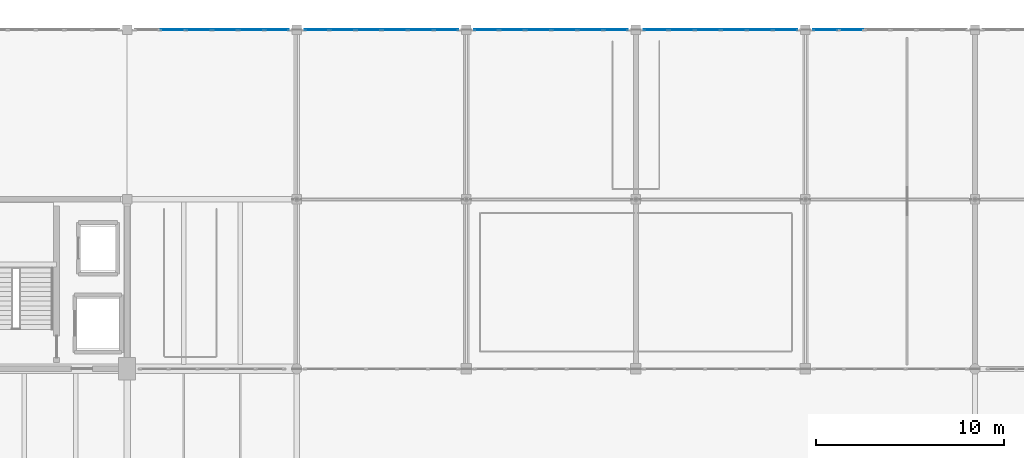
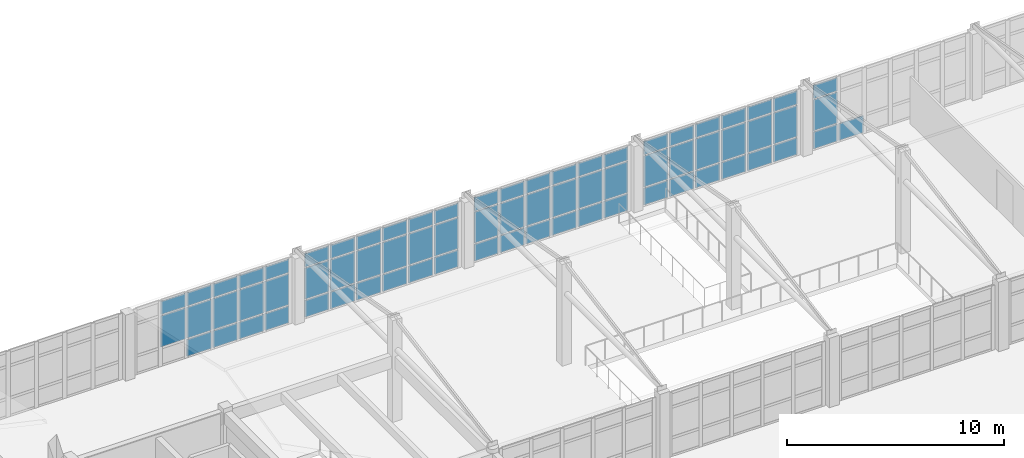
# One storey, part 117 of 156: 72 plates, 5 elements without a shape of their own.
"""IFC4 building model written with IfcOpenShell, lengths in metres."""

from ifc_helpers import new_model, si_unit, direction, frame, origin, origin_2d, place, context, subcontext, project, spatial, rectangle, extrude, material, layer, layer_set, type_object, element, aggregate, save


model = new_model("IFC4")

# Units and contexts
model_context = context("Model", 3, precision=1e-05, world=origin(), true_north=direction((0.0, 1.0)))
body_context = subcontext(model_context, "Body", "Model", "MODEL_VIEW")
ifc_project = project(units=[si_unit("LENGTHUNIT", "METRE"), si_unit("AREAUNIT", "SQUARE_METRE"), si_unit("VOLUMEUNIT", "CUBIC_METRE"), si_unit("PLANEANGLEUNIT", "RADIAN"), si_unit("MASSUNIT", "GRAM", prefix="KILO")], contexts=[model_context])

# Site, building, storey
site_placement = place(None, origin())
site = spatial("IfcSite", under=ifc_project, at=site_placement, CompositionType="ELEMENT")
building_placement = place(site_placement, origin())
building = spatial("IfcBuilding", under=site, at=building_placement, Name="Ornek Quay Market", CompositionType="ELEMENT")
storey_placement = place(building_placement, frame((0.0, 0.0, 4.5)))
storey = spatial("IfcBuildingStorey", under=building, at=storey_placement, Name="L01", CompositionType="ELEMENT", Elevation=4.5)

# Curtain wall, plates
ifc_material_1 = material(Name="Anodised bronze aluminium and triple low-e glass", Category="aluminium")
ifc_layer_1 = layer(ifc_material_1, 0.219970703125, Name="Anodised bronze aluminium and triple low-e glass", Category="aluminium")
ifc_layer_set_1 = layer_set([ifc_layer_1], Name="Anodised bronze aluminium and triple low-e glass")
curtain_wall_type = type_object("IfcCurtainWallType", Name="CW-PORCH-MOD1500", PredefinedType="USERDEFINED", material=ifc_layer_set_1)
curtain_wall_1_placement = place(storey_placement, origin())
curtain_wall_1 = element("IfcCurtainWall", 1, at=curtain_wall_1_placement, inside=storey, type_object=curtain_wall_type, Name="Curtain wall CW-050", ObjectType="CURTAIN WALL", PredefinedType="USERDEFINED")
ifc_material_2 = material(Name="Triple insulated low-e glass", Category="glass")
ifc_layer_2 = layer(ifc_material_2, 0.0419921875, Name="Triple insulated low-e glass", Category="glass")
ifc_layer_set_2 = layer_set([ifc_layer_2], Name="Triple insulated low-e glass")
plate_type = type_object("IfcPlateType", Name="PL-CW-TRIPLE-42", PredefinedType="CURTAIN_PANEL", material=ifc_layer_set_2)
plate_1_placement = place(storey_placement, frame((65.425048828125, 110.0, 1.0849609375), z_axis=(0.0, 0.0, 1.0), x_axis=(1.0, 0.0, 0.0)))
plate_1 = element("IfcPlate", 2, at=plate_1_placement, type_object=plate_type, Name="CW-050 panel 2.2", PredefinedType="CURTAIN_PANEL", context=body_context, shape_type="SweptSolid", body=[
    extrude(rectangle(XDim=1.308349609375, YDim=0.0419921875, at=origin_2d()), origin(), (0.0, 0.0, 1.0), 1.739990234375),
])
plate_2_placement = place(storey_placement, frame((65.425048828125, 110.0, 2.89501953125), z_axis=(0.0, 0.0, 1.0), x_axis=(1.0, 0.0, 0.0)))
plate_2 = element("IfcPlate", 3, at=plate_2_placement, type_object=plate_type, Name="CW-050 panel 2.3", PredefinedType="CURTAIN_PANEL", context=body_context, shape_type="SweptSolid", body=[
    extrude(rectangle(XDim=1.308349609375, YDim=0.0419921875, at=origin_2d()), origin(), (0.0, 0.0, 1.0), 0.7451171875),
])
plate_3_placement = place(storey_placement, frame((66.808349609375, 110.0, 0.06982421875), z_axis=(0.0, 0.0, 1.0), x_axis=(1.0, 0.0, 0.0)))
plate_3 = element("IfcPlate", 4, at=plate_3_placement, type_object=plate_type, Name="CW-050 panel 3.1", PredefinedType="CURTAIN_PANEL", context=body_context, shape_type="SweptSolid", body=[
    extrude(rectangle(XDim=1.308349609375, YDim=0.0419921875, at=origin_2d()), origin(), (0.0, 0.0, 1.0), 0.945068359375),
])
plate_4_placement = place(storey_placement, frame((66.808349609375, 110.0, 1.0849609375), z_axis=(0.0, 0.0, 1.0), x_axis=(1.0, 0.0, 0.0)))
plate_4 = element("IfcPlate", 5, at=plate_4_placement, type_object=plate_type, Name="CW-050 panel 3.2", PredefinedType="CURTAIN_PANEL", context=body_context, shape_type="SweptSolid", body=[
    extrude(rectangle(XDim=1.308349609375, YDim=0.0419921875, at=origin_2d()), origin(), (0.0, 0.0, 1.0), 1.739990234375),
])
plate_5_placement = place(storey_placement, frame((66.808349609375, 110.0, 2.89501953125), z_axis=(0.0, 0.0, 1.0), x_axis=(1.0, 0.0, 0.0)))
plate_5 = element("IfcPlate", 6, at=plate_5_placement, type_object=plate_type, Name="CW-050 panel 3.3", PredefinedType="CURTAIN_PANEL", context=body_context, shape_type="SweptSolid", body=[
    extrude(rectangle(XDim=1.308349609375, YDim=0.0419921875, at=origin_2d()), origin(), (0.0, 0.0, 1.0), 0.7451171875),
])
plate_6_placement = place(storey_placement, frame((68.191650390625, 110.0, 0.06982421875), z_axis=(0.0, 0.0, 1.0), x_axis=(1.0, 0.0, 0.0)))
plate_6 = element("IfcPlate", 7, at=plate_6_placement, type_object=plate_type, Name="CW-050 panel 4.1", PredefinedType="CURTAIN_PANEL", context=body_context, shape_type="SweptSolid", body=[
    extrude(rectangle(XDim=1.308349609375, YDim=0.0419921875, at=origin_2d()), origin(), (0.0, 0.0, 1.0), 0.945068359375),
])
plate_7_placement = place(storey_placement, frame((68.191650390625, 110.0, 1.0849609375), z_axis=(0.0, 0.0, 1.0), x_axis=(1.0, 0.0, 0.0)))
plate_7 = element("IfcPlate", 8, at=plate_7_placement, type_object=plate_type, Name="CW-050 panel 4.2", PredefinedType="CURTAIN_PANEL", context=body_context, shape_type="SweptSolid", body=[
    extrude(rectangle(XDim=1.308349609375, YDim=0.0419921875, at=origin_2d()), origin(), (0.0, 0.0, 1.0), 1.739990234375),
])
plate_8_placement = place(storey_placement, frame((68.191650390625, 110.0, 2.89501953125), z_axis=(0.0, 0.0, 1.0), x_axis=(1.0, 0.0, 0.0)))
plate_8 = element("IfcPlate", 9, at=plate_8_placement, type_object=plate_type, Name="CW-050 panel 4.3", PredefinedType="CURTAIN_PANEL", context=body_context, shape_type="SweptSolid", body=[
    extrude(rectangle(XDim=1.308349609375, YDim=0.0419921875, at=origin_2d()), origin(), (0.0, 0.0, 1.0), 0.7451171875),
])
plate_9_placement = place(storey_placement, frame((69.574951171875, 110.0, 0.06982421875), z_axis=(0.0, 0.0, 1.0), x_axis=(1.0, 0.0, 0.0)))
plate_9 = element("IfcPlate", 10, at=plate_9_placement, type_object=plate_type, Name="CW-050 panel 5.1", PredefinedType="CURTAIN_PANEL", context=body_context, shape_type="SweptSolid", body=[
    extrude(rectangle(XDim=1.308349609375, YDim=0.0419921875, at=origin_2d()), origin(), (0.0, 0.0, 1.0), 0.945068359375),
])
plate_10_placement = place(storey_placement, frame((69.574951171875, 110.0, 1.0849609375), z_axis=(0.0, 0.0, 1.0), x_axis=(1.0, 0.0, 0.0)))
plate_10 = element("IfcPlate", 11, at=plate_10_placement, type_object=plate_type, Name="CW-050 panel 5.2", PredefinedType="CURTAIN_PANEL", context=body_context, shape_type="SweptSolid", body=[
    extrude(rectangle(XDim=1.308349609375, YDim=0.0419921875, at=origin_2d()), origin(), (0.0, 0.0, 1.0), 1.739990234375),
])
plate_11_placement = place(storey_placement, frame((69.574951171875, 110.0, 2.89501953125), z_axis=(0.0, 0.0, 1.0), x_axis=(1.0, 0.0, 0.0)))
plate_11 = element("IfcPlate", 12, at=plate_11_placement, type_object=plate_type, Name="CW-050 panel 5.3", PredefinedType="CURTAIN_PANEL", context=body_context, shape_type="SweptSolid", body=[
    extrude(rectangle(XDim=1.308349609375, YDim=0.0419921875, at=origin_2d()), origin(), (0.0, 0.0, 1.0), 0.7451171875),
])
plate_12_placement = place(storey_placement, frame((70.939697265625, 110.0, 0.06982421875), z_axis=(0.0, 0.0, 1.0), x_axis=(1.0, 0.0, 0.0)))
plate_12 = element("IfcPlate", 13, at=plate_12_placement, type_object=plate_type, Name="CW-050 panel 6.1", PredefinedType="CURTAIN_PANEL", context=body_context, shape_type="SweptSolid", body=[
    extrude(rectangle(XDim=1.270751953125, YDim=0.0419921875, at=origin_2d()), origin(), (0.0, 0.0, 1.0), 0.945068359375),
])
plate_13_placement = place(storey_placement, frame((70.939697265625, 110.0, 1.0849609375), z_axis=(0.0, 0.0, 1.0), x_axis=(1.0, 0.0, 0.0)))
plate_13 = element("IfcPlate", 14, at=plate_13_placement, type_object=plate_type, Name="CW-050 panel 6.2", PredefinedType="CURTAIN_PANEL", context=body_context, shape_type="SweptSolid", body=[
    extrude(rectangle(XDim=1.270751953125, YDim=0.0419921875, at=origin_2d()), origin(), (0.0, 0.0, 1.0), 1.739990234375),
])
plate_14_placement = place(storey_placement, frame((70.939697265625, 110.0, 2.89501953125), z_axis=(0.0, 0.0, 1.0), x_axis=(1.0, 0.0, 0.0)))
plate_14 = element("IfcPlate", 15, at=plate_14_placement, type_object=plate_type, Name="CW-050 panel 6.3", PredefinedType="CURTAIN_PANEL", context=body_context, shape_type="SweptSolid", body=[
    extrude(rectangle(XDim=1.270751953125, YDim=0.0419921875, at=origin_2d()), origin(), (0.0, 0.0, 1.0), 0.7451171875),
])
aggregate(curtain_wall_1, [plate_1, plate_2, plate_3, plate_4, plate_5, plate_6, plate_7, plate_8, plate_9, plate_10, plate_11, plate_12, plate_13, plate_14])

curtain_wall_2_placement = place(storey_placement, origin())
curtain_wall_2 = element("IfcCurtainWall", 16, at=curtain_wall_2_placement, inside=storey, type_object=curtain_wall_type, Name="Curtain wall CW-051", ObjectType="CURTAIN WALL", PredefinedType="USERDEFINED")
plate_15_placement = place(storey_placement, frame((73.060302734375, 110.0, 0.06982421875), z_axis=(0.0, 0.0, 1.0), x_axis=(1.0, 0.0, 0.0)))
plate_15 = element("IfcPlate", 17, at=plate_15_placement, type_object=plate_type, Name="CW-051 panel 1.1", PredefinedType="CURTAIN_PANEL", context=body_context, shape_type="SweptSolid", body=[
    extrude(rectangle(XDim=1.270751953125, YDim=0.0419921875, at=origin_2d()), origin(), (0.0, 0.0, 1.0), 0.945068359375),
])
plate_16_placement = place(storey_placement, frame((73.060302734375, 110.0, 1.0849609375), z_axis=(0.0, 0.0, 1.0), x_axis=(1.0, 0.0, 0.0)))
plate_16 = element("IfcPlate", 18, at=plate_16_placement, type_object=plate_type, Name="CW-051 panel 1.2", PredefinedType="CURTAIN_PANEL", context=body_context, shape_type="SweptSolid", body=[
    extrude(rectangle(XDim=1.270751953125, YDim=0.0419921875, at=origin_2d()), origin(), (0.0, 0.0, 1.0), 1.739990234375),
])
plate_17_placement = place(storey_placement, frame((73.060302734375, 110.0, 2.89501953125), z_axis=(0.0, 0.0, 1.0), x_axis=(1.0, 0.0, 0.0)))
plate_17 = element("IfcPlate", 19, at=plate_17_placement, type_object=plate_type, Name="CW-051 panel 1.3", PredefinedType="CURTAIN_PANEL", context=body_context, shape_type="SweptSolid", body=[
    extrude(rectangle(XDim=1.270751953125, YDim=0.0419921875, at=origin_2d()), origin(), (0.0, 0.0, 1.0), 0.7451171875),
])
plate_18_placement = place(storey_placement, frame((74.425048828125, 110.0, 0.06982421875), z_axis=(0.0, 0.0, 1.0), x_axis=(1.0, 0.0, 0.0)))
plate_18 = element("IfcPlate", 20, at=plate_18_placement, type_object=plate_type, Name="CW-051 panel 2.1", PredefinedType="CURTAIN_PANEL", context=body_context, shape_type="SweptSolid", body=[
    extrude(rectangle(XDim=1.308349609375, YDim=0.0419921875, at=origin_2d()), origin(), (0.0, 0.0, 1.0), 0.945068359375),
])
plate_19_placement = place(storey_placement, frame((74.425048828125, 110.0, 1.0849609375), z_axis=(0.0, 0.0, 1.0), x_axis=(1.0, 0.0, 0.0)))
plate_19 = element("IfcPlate", 21, at=plate_19_placement, type_object=plate_type, Name="CW-051 panel 2.2", PredefinedType="CURTAIN_PANEL", context=body_context, shape_type="SweptSolid", body=[
    extrude(rectangle(XDim=1.308349609375, YDim=0.0419921875, at=origin_2d()), origin(), (0.0, 0.0, 1.0), 1.739990234375),
])
plate_20_placement = place(storey_placement, frame((74.425048828125, 110.0, 2.89501953125), z_axis=(0.0, 0.0, 1.0), x_axis=(1.0, 0.0, 0.0)))
plate_20 = element("IfcPlate", 22, at=plate_20_placement, type_object=plate_type, Name="CW-051 panel 2.3", PredefinedType="CURTAIN_PANEL", context=body_context, shape_type="SweptSolid", body=[
    extrude(rectangle(XDim=1.308349609375, YDim=0.0419921875, at=origin_2d()), origin(), (0.0, 0.0, 1.0), 0.7451171875),
])
plate_21_placement = place(storey_placement, frame((75.808349609375, 110.0, 0.06982421875), z_axis=(0.0, 0.0, 1.0), x_axis=(1.0, 0.0, 0.0)))
plate_21 = element("IfcPlate", 23, at=plate_21_placement, type_object=plate_type, Name="CW-051 panel 3.1", PredefinedType="CURTAIN_PANEL", context=body_context, shape_type="SweptSolid", body=[
    extrude(rectangle(XDim=1.308349609375, YDim=0.0419921875, at=origin_2d()), origin(), (0.0, 0.0, 1.0), 0.945068359375),
])
plate_22_placement = place(storey_placement, frame((75.808349609375, 110.0, 1.0849609375), z_axis=(0.0, 0.0, 1.0), x_axis=(1.0, 0.0, 0.0)))
plate_22 = element("IfcPlate", 24, at=plate_22_placement, type_object=plate_type, Name="CW-051 panel 3.2", PredefinedType="CURTAIN_PANEL", context=body_context, shape_type="SweptSolid", body=[
    extrude(rectangle(XDim=1.308349609375, YDim=0.0419921875, at=origin_2d()), origin(), (0.0, 0.0, 1.0), 1.739990234375),
])
plate_23_placement = place(storey_placement, frame((75.808349609375, 110.0, 2.89501953125), z_axis=(0.0, 0.0, 1.0), x_axis=(1.0, 0.0, 0.0)))
plate_23 = element("IfcPlate", 25, at=plate_23_placement, type_object=plate_type, Name="CW-051 panel 3.3", PredefinedType="CURTAIN_PANEL", context=body_context, shape_type="SweptSolid", body=[
    extrude(rectangle(XDim=1.308349609375, YDim=0.0419921875, at=origin_2d()), origin(), (0.0, 0.0, 1.0), 0.7451171875),
])
plate_24_placement = place(storey_placement, frame((77.191650390625, 110.0, 0.06982421875), z_axis=(0.0, 0.0, 1.0), x_axis=(1.0, 0.0, 0.0)))
plate_24 = element("IfcPlate", 26, at=plate_24_placement, type_object=plate_type, Name="CW-051 panel 4.1", PredefinedType="CURTAIN_PANEL", context=body_context, shape_type="SweptSolid", body=[
    extrude(rectangle(XDim=1.308349609375, YDim=0.0419921875, at=origin_2d()), origin(), (0.0, 0.0, 1.0), 0.945068359375),
])
plate_25_placement = place(storey_placement, frame((77.191650390625, 110.0, 1.0849609375), z_axis=(0.0, 0.0, 1.0), x_axis=(1.0, 0.0, 0.0)))
plate_25 = element("IfcPlate", 27, at=plate_25_placement, type_object=plate_type, Name="CW-051 panel 4.2", PredefinedType="CURTAIN_PANEL", context=body_context, shape_type="SweptSolid", body=[
    extrude(rectangle(XDim=1.308349609375, YDim=0.0419921875, at=origin_2d()), origin(), (0.0, 0.0, 1.0), 1.739990234375),
])
plate_26_placement = place(storey_placement, frame((77.191650390625, 110.0, 2.89501953125), z_axis=(0.0, 0.0, 1.0), x_axis=(1.0, 0.0, 0.0)))
plate_26 = element("IfcPlate", 28, at=plate_26_placement, type_object=plate_type, Name="CW-051 panel 4.3", PredefinedType="CURTAIN_PANEL", context=body_context, shape_type="SweptSolid", body=[
    extrude(rectangle(XDim=1.308349609375, YDim=0.0419921875, at=origin_2d()), origin(), (0.0, 0.0, 1.0), 0.7451171875),
])
plate_27_placement = place(storey_placement, frame((78.574951171875, 110.0, 0.06982421875), z_axis=(0.0, 0.0, 1.0), x_axis=(1.0, 0.0, 0.0)))
plate_27 = element("IfcPlate", 29, at=plate_27_placement, type_object=plate_type, Name="CW-051 panel 5.1", PredefinedType="CURTAIN_PANEL", context=body_context, shape_type="SweptSolid", body=[
    extrude(rectangle(XDim=1.308349609375, YDim=0.0419921875, at=origin_2d()), origin(), (0.0, 0.0, 1.0), 0.945068359375),
])
plate_28_placement = place(storey_placement, frame((78.574951171875, 110.0, 1.0849609375), z_axis=(0.0, 0.0, 1.0), x_axis=(1.0, 0.0, 0.0)))
plate_28 = element("IfcPlate", 30, at=plate_28_placement, type_object=plate_type, Name="CW-051 panel 5.2", PredefinedType="CURTAIN_PANEL", context=body_context, shape_type="SweptSolid", body=[
    extrude(rectangle(XDim=1.308349609375, YDim=0.0419921875, at=origin_2d()), origin(), (0.0, 0.0, 1.0), 1.739990234375),
])
plate_29_placement = place(storey_placement, frame((78.574951171875, 110.0, 2.89501953125), z_axis=(0.0, 0.0, 1.0), x_axis=(1.0, 0.0, 0.0)))
plate_29 = element("IfcPlate", 31, at=plate_29_placement, type_object=plate_type, Name="CW-051 panel 5.3", PredefinedType="CURTAIN_PANEL", context=body_context, shape_type="SweptSolid", body=[
    extrude(rectangle(XDim=1.308349609375, YDim=0.0419921875, at=origin_2d()), origin(), (0.0, 0.0, 1.0), 0.7451171875),
])
plate_30_placement = place(storey_placement, frame((79.939697265625, 110.0, 0.06982421875), z_axis=(0.0, 0.0, 1.0), x_axis=(1.0, 0.0, 0.0)))
plate_30 = element("IfcPlate", 32, at=plate_30_placement, type_object=plate_type, Name="CW-051 panel 6.1", PredefinedType="CURTAIN_PANEL", context=body_context, shape_type="SweptSolid", body=[
    extrude(rectangle(XDim=1.270751953125, YDim=0.0419921875, at=origin_2d()), origin(), (0.0, 0.0, 1.0), 0.945068359375),
])
plate_31_placement = place(storey_placement, frame((79.939697265625, 110.0, 1.0849609375), z_axis=(0.0, 0.0, 1.0), x_axis=(1.0, 0.0, 0.0)))
plate_31 = element("IfcPlate", 33, at=plate_31_placement, type_object=plate_type, Name="CW-051 panel 6.2", PredefinedType="CURTAIN_PANEL", context=body_context, shape_type="SweptSolid", body=[
    extrude(rectangle(XDim=1.270751953125, YDim=0.0419921875, at=origin_2d()), origin(), (0.0, 0.0, 1.0), 1.739990234375),
])
plate_32_placement = place(storey_placement, frame((79.939697265625, 110.0, 2.89501953125), z_axis=(0.0, 0.0, 1.0), x_axis=(1.0, 0.0, 0.0)))
plate_32 = element("IfcPlate", 34, at=plate_32_placement, type_object=plate_type, Name="CW-051 panel 6.3", PredefinedType="CURTAIN_PANEL", context=body_context, shape_type="SweptSolid", body=[
    extrude(rectangle(XDim=1.270751953125, YDim=0.0419921875, at=origin_2d()), origin(), (0.0, 0.0, 1.0), 0.7451171875),
])
aggregate(curtain_wall_2, [plate_15, plate_16, plate_17, plate_18, plate_19, plate_20, plate_21, plate_22, plate_23, plate_24, plate_25, plate_26, plate_27, plate_28, plate_29, plate_30, plate_31, plate_32])

curtain_wall_3_placement = place(storey_placement, origin())
curtain_wall_3 = element("IfcCurtainWall", 35, at=curtain_wall_3_placement, inside=storey, type_object=curtain_wall_type, Name="Curtain wall CW-052", ObjectType="CURTAIN WALL", PredefinedType="USERDEFINED")
plate_33_placement = place(storey_placement, frame((82.060302734375, 110.0, 0.06982421875), z_axis=(0.0, 0.0, 1.0), x_axis=(1.0, 0.0, 0.0)))
plate_33 = element("IfcPlate", 36, at=plate_33_placement, type_object=plate_type, Name="CW-052 panel 1.1", PredefinedType="CURTAIN_PANEL", context=body_context, shape_type="SweptSolid", body=[
    extrude(rectangle(XDim=1.270751953125, YDim=0.0419921875, at=origin_2d()), origin(), (0.0, 0.0, 1.0), 0.945068359375),
])
plate_34_placement = place(storey_placement, frame((82.060302734375, 110.0, 1.0849609375), z_axis=(0.0, 0.0, 1.0), x_axis=(1.0, 0.0, 0.0)))
plate_34 = element("IfcPlate", 37, at=plate_34_placement, type_object=plate_type, Name="CW-052 panel 1.2", PredefinedType="CURTAIN_PANEL", context=body_context, shape_type="SweptSolid", body=[
    extrude(rectangle(XDim=1.270751953125, YDim=0.0419921875, at=origin_2d()), origin(), (0.0, 0.0, 1.0), 1.739990234375),
])
plate_35_placement = place(storey_placement, frame((82.060302734375, 110.0, 2.89501953125), z_axis=(0.0, 0.0, 1.0), x_axis=(1.0, 0.0, 0.0)))
plate_35 = element("IfcPlate", 38, at=plate_35_placement, type_object=plate_type, Name="CW-052 panel 1.3", PredefinedType="CURTAIN_PANEL", context=body_context, shape_type="SweptSolid", body=[
    extrude(rectangle(XDim=1.270751953125, YDim=0.0419921875, at=origin_2d()), origin(), (0.0, 0.0, 1.0), 0.7451171875),
])
plate_36_placement = place(storey_placement, frame((83.425048828125, 110.0, 0.06982421875), z_axis=(0.0, 0.0, 1.0), x_axis=(1.0, 0.0, 0.0)))
plate_36 = element("IfcPlate", 39, at=plate_36_placement, type_object=plate_type, Name="CW-052 panel 2.1", PredefinedType="CURTAIN_PANEL", context=body_context, shape_type="SweptSolid", body=[
    extrude(rectangle(XDim=1.308349609375, YDim=0.0419921875, at=origin_2d()), origin(), (0.0, 0.0, 1.0), 0.945068359375),
])
plate_37_placement = place(storey_placement, frame((83.425048828125, 110.0, 1.0849609375), z_axis=(0.0, 0.0, 1.0), x_axis=(1.0, 0.0, 0.0)))
plate_37 = element("IfcPlate", 40, at=plate_37_placement, type_object=plate_type, Name="CW-052 panel 2.2", PredefinedType="CURTAIN_PANEL", context=body_context, shape_type="SweptSolid", body=[
    extrude(rectangle(XDim=1.308349609375, YDim=0.0419921875, at=origin_2d()), origin(), (0.0, 0.0, 1.0), 1.739990234375),
])
plate_38_placement = place(storey_placement, frame((83.425048828125, 110.0, 2.89501953125), z_axis=(0.0, 0.0, 1.0), x_axis=(1.0, 0.0, 0.0)))
plate_38 = element("IfcPlate", 41, at=plate_38_placement, type_object=plate_type, Name="CW-052 panel 2.3", PredefinedType="CURTAIN_PANEL", context=body_context, shape_type="SweptSolid", body=[
    extrude(rectangle(XDim=1.308349609375, YDim=0.0419921875, at=origin_2d()), origin(), (0.0, 0.0, 1.0), 0.7451171875),
])
plate_39_placement = place(storey_placement, frame((84.808349609375, 110.0, 0.06982421875), z_axis=(0.0, 0.0, 1.0), x_axis=(1.0, 0.0, 0.0)))
plate_39 = element("IfcPlate", 42, at=plate_39_placement, type_object=plate_type, Name="CW-052 panel 3.1", PredefinedType="CURTAIN_PANEL", context=body_context, shape_type="SweptSolid", body=[
    extrude(rectangle(XDim=1.308349609375, YDim=0.0419921875, at=origin_2d()), origin(), (0.0, 0.0, 1.0), 0.945068359375),
])
plate_40_placement = place(storey_placement, frame((84.808349609375, 110.0, 1.0849609375), z_axis=(0.0, 0.0, 1.0), x_axis=(1.0, 0.0, 0.0)))
plate_40 = element("IfcPlate", 43, at=plate_40_placement, type_object=plate_type, Name="CW-052 panel 3.2", PredefinedType="CURTAIN_PANEL", context=body_context, shape_type="SweptSolid", body=[
    extrude(rectangle(XDim=1.308349609375, YDim=0.0419921875, at=origin_2d()), origin(), (0.0, 0.0, 1.0), 1.739990234375),
])
plate_41_placement = place(storey_placement, frame((84.808349609375, 110.0, 2.89501953125), z_axis=(0.0, 0.0, 1.0), x_axis=(1.0, 0.0, 0.0)))
plate_41 = element("IfcPlate", 44, at=plate_41_placement, type_object=plate_type, Name="CW-052 panel 3.3", PredefinedType="CURTAIN_PANEL", context=body_context, shape_type="SweptSolid", body=[
    extrude(rectangle(XDim=1.308349609375, YDim=0.0419921875, at=origin_2d()), origin(), (0.0, 0.0, 1.0), 0.7451171875),
])
plate_42_placement = place(storey_placement, frame((86.191650390625, 110.0, 0.06982421875), z_axis=(0.0, 0.0, 1.0), x_axis=(1.0, 0.0, 0.0)))
plate_42 = element("IfcPlate", 45, at=plate_42_placement, type_object=plate_type, Name="CW-052 panel 4.1", PredefinedType="CURTAIN_PANEL", context=body_context, shape_type="SweptSolid", body=[
    extrude(rectangle(XDim=1.308349609375, YDim=0.0419921875, at=origin_2d()), origin(), (0.0, 0.0, 1.0), 0.945068359375),
])
plate_43_placement = place(storey_placement, frame((86.191650390625, 110.0, 1.0849609375), z_axis=(0.0, 0.0, 1.0), x_axis=(1.0, 0.0, 0.0)))
plate_43 = element("IfcPlate", 46, at=plate_43_placement, type_object=plate_type, Name="CW-052 panel 4.2", PredefinedType="CURTAIN_PANEL", context=body_context, shape_type="SweptSolid", body=[
    extrude(rectangle(XDim=1.308349609375, YDim=0.0419921875, at=origin_2d()), origin(), (0.0, 0.0, 1.0), 1.739990234375),
])
plate_44_placement = place(storey_placement, frame((86.191650390625, 110.0, 2.89501953125), z_axis=(0.0, 0.0, 1.0), x_axis=(1.0, 0.0, 0.0)))
plate_44 = element("IfcPlate", 47, at=plate_44_placement, type_object=plate_type, Name="CW-052 panel 4.3", PredefinedType="CURTAIN_PANEL", context=body_context, shape_type="SweptSolid", body=[
    extrude(rectangle(XDim=1.308349609375, YDim=0.0419921875, at=origin_2d()), origin(), (0.0, 0.0, 1.0), 0.7451171875),
])
plate_45_placement = place(storey_placement, frame((87.574951171875, 110.0, 0.06982421875), z_axis=(0.0, 0.0, 1.0), x_axis=(1.0, 0.0, 0.0)))
plate_45 = element("IfcPlate", 48, at=plate_45_placement, type_object=plate_type, Name="CW-052 panel 5.1", PredefinedType="CURTAIN_PANEL", context=body_context, shape_type="SweptSolid", body=[
    extrude(rectangle(XDim=1.308349609375, YDim=0.0419921875, at=origin_2d()), origin(), (0.0, 0.0, 1.0), 0.945068359375),
])
plate_46_placement = place(storey_placement, frame((87.574951171875, 110.0, 1.0849609375), z_axis=(0.0, 0.0, 1.0), x_axis=(1.0, 0.0, 0.0)))
plate_46 = element("IfcPlate", 49, at=plate_46_placement, type_object=plate_type, Name="CW-052 panel 5.2", PredefinedType="CURTAIN_PANEL", context=body_context, shape_type="SweptSolid", body=[
    extrude(rectangle(XDim=1.308349609375, YDim=0.0419921875, at=origin_2d()), origin(), (0.0, 0.0, 1.0), 1.739990234375),
])
plate_47_placement = place(storey_placement, frame((87.574951171875, 110.0, 2.89501953125), z_axis=(0.0, 0.0, 1.0), x_axis=(1.0, 0.0, 0.0)))
plate_47 = element("IfcPlate", 50, at=plate_47_placement, type_object=plate_type, Name="CW-052 panel 5.3", PredefinedType="CURTAIN_PANEL", context=body_context, shape_type="SweptSolid", body=[
    extrude(rectangle(XDim=1.308349609375, YDim=0.0419921875, at=origin_2d()), origin(), (0.0, 0.0, 1.0), 0.7451171875),
])
plate_48_placement = place(storey_placement, frame((88.939697265625, 110.0, 0.06982421875), z_axis=(0.0, 0.0, 1.0), x_axis=(1.0, 0.0, 0.0)))
plate_48 = element("IfcPlate", 51, at=plate_48_placement, type_object=plate_type, Name="CW-052 panel 6.1", PredefinedType="CURTAIN_PANEL", context=body_context, shape_type="SweptSolid", body=[
    extrude(rectangle(XDim=1.270751953125, YDim=0.0419921875, at=origin_2d()), origin(), (0.0, 0.0, 1.0), 0.945068359375),
])
plate_49_placement = place(storey_placement, frame((88.939697265625, 110.0, 1.0849609375), z_axis=(0.0, 0.0, 1.0), x_axis=(1.0, 0.0, 0.0)))
plate_49 = element("IfcPlate", 52, at=plate_49_placement, type_object=plate_type, Name="CW-052 panel 6.2", PredefinedType="CURTAIN_PANEL", context=body_context, shape_type="SweptSolid", body=[
    extrude(rectangle(XDim=1.270751953125, YDim=0.0419921875, at=origin_2d()), origin(), (0.0, 0.0, 1.0), 1.739990234375),
])
plate_50_placement = place(storey_placement, frame((88.939697265625, 110.0, 2.89501953125), z_axis=(0.0, 0.0, 1.0), x_axis=(1.0, 0.0, 0.0)))
plate_50 = element("IfcPlate", 53, at=plate_50_placement, type_object=plate_type, Name="CW-052 panel 6.3", PredefinedType="CURTAIN_PANEL", context=body_context, shape_type="SweptSolid", body=[
    extrude(rectangle(XDim=1.270751953125, YDim=0.0419921875, at=origin_2d()), origin(), (0.0, 0.0, 1.0), 0.7451171875),
])
aggregate(curtain_wall_3, [plate_33, plate_34, plate_35, plate_36, plate_37, plate_38, plate_39, plate_40, plate_41, plate_42, plate_43, plate_44, plate_45, plate_46, plate_47, plate_48, plate_49, plate_50])

curtain_wall_4_placement = place(storey_placement, origin())
curtain_wall_4 = element("IfcCurtainWall", 54, at=curtain_wall_4_placement, inside=storey, type_object=curtain_wall_type, Name="Curtain wall CW-053", ObjectType="CURTAIN WALL", PredefinedType="USERDEFINED")
plate_51_placement = place(storey_placement, frame((91.060302734375, 110.0, 0.06982421875), z_axis=(0.0, 0.0, 1.0), x_axis=(1.0, 0.0, 0.0)))
plate_51 = element("IfcPlate", 55, at=plate_51_placement, type_object=plate_type, Name="CW-053 panel 1.1", PredefinedType="CURTAIN_PANEL", context=body_context, shape_type="SweptSolid", body=[
    extrude(rectangle(XDim=1.270751953125, YDim=0.0419921875, at=origin_2d()), origin(), (0.0, 0.0, 1.0), 0.945068359375),
])
plate_52_placement = place(storey_placement, frame((91.060302734375, 110.0, 1.0849609375), z_axis=(0.0, 0.0, 1.0), x_axis=(1.0, 0.0, 0.0)))
plate_52 = element("IfcPlate", 56, at=plate_52_placement, type_object=plate_type, Name="CW-053 panel 1.2", PredefinedType="CURTAIN_PANEL", context=body_context, shape_type="SweptSolid", body=[
    extrude(rectangle(XDim=1.270751953125, YDim=0.0419921875, at=origin_2d()), origin(), (0.0, 0.0, 1.0), 1.739990234375),
])
plate_53_placement = place(storey_placement, frame((91.060302734375, 110.0, 2.89501953125), z_axis=(0.0, 0.0, 1.0), x_axis=(1.0, 0.0, 0.0)))
plate_53 = element("IfcPlate", 57, at=plate_53_placement, type_object=plate_type, Name="CW-053 panel 1.3", PredefinedType="CURTAIN_PANEL", context=body_context, shape_type="SweptSolid", body=[
    extrude(rectangle(XDim=1.270751953125, YDim=0.0419921875, at=origin_2d()), origin(), (0.0, 0.0, 1.0), 0.7451171875),
])
plate_54_placement = place(storey_placement, frame((92.425048828125, 110.0, 0.06982421875), z_axis=(0.0, 0.0, 1.0), x_axis=(1.0, 0.0, 0.0)))
plate_54 = element("IfcPlate", 58, at=plate_54_placement, type_object=plate_type, Name="CW-053 panel 2.1", PredefinedType="CURTAIN_PANEL", context=body_context, shape_type="SweptSolid", body=[
    extrude(rectangle(XDim=1.308349609375, YDim=0.0419921875, at=origin_2d()), origin(), (0.0, 0.0, 1.0), 0.945068359375),
])
plate_55_placement = place(storey_placement, frame((92.425048828125, 110.0, 1.0849609375), z_axis=(0.0, 0.0, 1.0), x_axis=(1.0, 0.0, 0.0)))
plate_55 = element("IfcPlate", 59, at=plate_55_placement, type_object=plate_type, Name="CW-053 panel 2.2", PredefinedType="CURTAIN_PANEL", context=body_context, shape_type="SweptSolid", body=[
    extrude(rectangle(XDim=1.308349609375, YDim=0.0419921875, at=origin_2d()), origin(), (0.0, 0.0, 1.0), 1.739990234375),
])
plate_56_placement = place(storey_placement, frame((92.425048828125, 110.0, 2.89501953125), z_axis=(0.0, 0.0, 1.0), x_axis=(1.0, 0.0, 0.0)))
plate_56 = element("IfcPlate", 60, at=plate_56_placement, type_object=plate_type, Name="CW-053 panel 2.3", PredefinedType="CURTAIN_PANEL", context=body_context, shape_type="SweptSolid", body=[
    extrude(rectangle(XDim=1.308349609375, YDim=0.0419921875, at=origin_2d()), origin(), (0.0, 0.0, 1.0), 0.7451171875),
])
plate_57_placement = place(storey_placement, frame((93.808349609375, 110.0, 0.06982421875), z_axis=(0.0, 0.0, 1.0), x_axis=(1.0, 0.0, 0.0)))
plate_57 = element("IfcPlate", 61, at=plate_57_placement, type_object=plate_type, Name="CW-053 panel 3.1", PredefinedType="CURTAIN_PANEL", context=body_context, shape_type="SweptSolid", body=[
    extrude(rectangle(XDim=1.308349609375, YDim=0.0419921875, at=origin_2d()), origin(), (0.0, 0.0, 1.0), 0.945068359375),
])
plate_58_placement = place(storey_placement, frame((93.808349609375, 110.0, 1.0849609375), z_axis=(0.0, 0.0, 1.0), x_axis=(1.0, 0.0, 0.0)))
plate_58 = element("IfcPlate", 62, at=plate_58_placement, type_object=plate_type, Name="CW-053 panel 3.2", PredefinedType="CURTAIN_PANEL", context=body_context, shape_type="SweptSolid", body=[
    extrude(rectangle(XDim=1.308349609375, YDim=0.0419921875, at=origin_2d()), origin(), (0.0, 0.0, 1.0), 1.739990234375),
])
plate_59_placement = place(storey_placement, frame((93.808349609375, 110.0, 2.89501953125), z_axis=(0.0, 0.0, 1.0), x_axis=(1.0, 0.0, 0.0)))
plate_59 = element("IfcPlate", 63, at=plate_59_placement, type_object=plate_type, Name="CW-053 panel 3.3", PredefinedType="CURTAIN_PANEL", context=body_context, shape_type="SweptSolid", body=[
    extrude(rectangle(XDim=1.308349609375, YDim=0.0419921875, at=origin_2d()), origin(), (0.0, 0.0, 1.0), 0.7451171875),
])
plate_60_placement = place(storey_placement, frame((95.191650390625, 110.0, 0.06982421875), z_axis=(0.0, 0.0, 1.0), x_axis=(1.0, 0.0, 0.0)))
plate_60 = element("IfcPlate", 64, at=plate_60_placement, type_object=plate_type, Name="CW-053 panel 4.1", PredefinedType="CURTAIN_PANEL", context=body_context, shape_type="SweptSolid", body=[
    extrude(rectangle(XDim=1.308349609375, YDim=0.0419921875, at=origin_2d()), origin(), (0.0, 0.0, 1.0), 0.945068359375),
])
plate_61_placement = place(storey_placement, frame((95.191650390625, 110.0, 1.0849609375), z_axis=(0.0, 0.0, 1.0), x_axis=(1.0, 0.0, 0.0)))
plate_61 = element("IfcPlate", 65, at=plate_61_placement, type_object=plate_type, Name="CW-053 panel 4.2", PredefinedType="CURTAIN_PANEL", context=body_context, shape_type="SweptSolid", body=[
    extrude(rectangle(XDim=1.308349609375, YDim=0.0419921875, at=origin_2d()), origin(), (0.0, 0.0, 1.0), 1.739990234375),
])
plate_62_placement = place(storey_placement, frame((95.191650390625, 110.0, 2.89501953125), z_axis=(0.0, 0.0, 1.0), x_axis=(1.0, 0.0, 0.0)))
plate_62 = element("IfcPlate", 66, at=plate_62_placement, type_object=plate_type, Name="CW-053 panel 4.3", PredefinedType="CURTAIN_PANEL", context=body_context, shape_type="SweptSolid", body=[
    extrude(rectangle(XDim=1.308349609375, YDim=0.0419921875, at=origin_2d()), origin(), (0.0, 0.0, 1.0), 0.7451171875),
])
plate_63_placement = place(storey_placement, frame((96.574951171875, 110.0, 0.06982421875), z_axis=(0.0, 0.0, 1.0), x_axis=(1.0, 0.0, 0.0)))
plate_63 = element("IfcPlate", 67, at=plate_63_placement, type_object=plate_type, Name="CW-053 panel 5.1", PredefinedType="CURTAIN_PANEL", context=body_context, shape_type="SweptSolid", body=[
    extrude(rectangle(XDim=1.308349609375, YDim=0.0419921875, at=origin_2d()), origin(), (0.0, 0.0, 1.0), 0.945068359375),
])
plate_64_placement = place(storey_placement, frame((96.574951171875, 110.0, 1.0849609375), z_axis=(0.0, 0.0, 1.0), x_axis=(1.0, 0.0, 0.0)))
plate_64 = element("IfcPlate", 68, at=plate_64_placement, type_object=plate_type, Name="CW-053 panel 5.2", PredefinedType="CURTAIN_PANEL", context=body_context, shape_type="SweptSolid", body=[
    extrude(rectangle(XDim=1.308349609375, YDim=0.0419921875, at=origin_2d()), origin(), (0.0, 0.0, 1.0), 1.739990234375),
])
plate_65_placement = place(storey_placement, frame((96.574951171875, 110.0, 2.89501953125), z_axis=(0.0, 0.0, 1.0), x_axis=(1.0, 0.0, 0.0)))
plate_65 = element("IfcPlate", 69, at=plate_65_placement, type_object=plate_type, Name="CW-053 panel 5.3", PredefinedType="CURTAIN_PANEL", context=body_context, shape_type="SweptSolid", body=[
    extrude(rectangle(XDim=1.308349609375, YDim=0.0419921875, at=origin_2d()), origin(), (0.0, 0.0, 1.0), 0.7451171875),
])
plate_66_placement = place(storey_placement, frame((97.939697265625, 110.0, 0.06982421875), z_axis=(0.0, 0.0, 1.0), x_axis=(1.0, 0.0, 0.0)))
plate_66 = element("IfcPlate", 70, at=plate_66_placement, type_object=plate_type, Name="CW-053 panel 6.1", PredefinedType="CURTAIN_PANEL", context=body_context, shape_type="SweptSolid", body=[
    extrude(rectangle(XDim=1.270751953125, YDim=0.0419921875, at=origin_2d()), origin(), (0.0, 0.0, 1.0), 0.945068359375),
])
plate_67_placement = place(storey_placement, frame((97.939697265625, 110.0, 1.0849609375), z_axis=(0.0, 0.0, 1.0), x_axis=(1.0, 0.0, 0.0)))
plate_67 = element("IfcPlate", 71, at=plate_67_placement, type_object=plate_type, Name="CW-053 panel 6.2", PredefinedType="CURTAIN_PANEL", context=body_context, shape_type="SweptSolid", body=[
    extrude(rectangle(XDim=1.270751953125, YDim=0.0419921875, at=origin_2d()), origin(), (0.0, 0.0, 1.0), 1.739990234375),
])
plate_68_placement = place(storey_placement, frame((97.939697265625, 110.0, 2.89501953125), z_axis=(0.0, 0.0, 1.0), x_axis=(1.0, 0.0, 0.0)))
plate_68 = element("IfcPlate", 72, at=plate_68_placement, type_object=plate_type, Name="CW-053 panel 6.3", PredefinedType="CURTAIN_PANEL", context=body_context, shape_type="SweptSolid", body=[
    extrude(rectangle(XDim=1.270751953125, YDim=0.0419921875, at=origin_2d()), origin(), (0.0, 0.0, 1.0), 0.7451171875),
])
aggregate(curtain_wall_4, [plate_51, plate_52, plate_53, plate_54, plate_55, plate_56, plate_57, plate_58, plate_59, plate_60, plate_61, plate_62, plate_63, plate_64, plate_65, plate_66, plate_67, plate_68])

curtain_wall_5_placement = place(storey_placement, origin())
curtain_wall_5 = element("IfcCurtainWall", 73, at=curtain_wall_5_placement, inside=storey, type_object=curtain_wall_type, Name="Curtain wall CW-054", ObjectType="CURTAIN WALL", PredefinedType="USERDEFINED")
plate_69_placement = place(storey_placement, frame((100.060302734375, 110.0, 0.06982421875), z_axis=(0.0, 0.0, 1.0), x_axis=(1.0, 0.0, 0.0)))
plate_69 = element("IfcPlate", 74, at=plate_69_placement, type_object=plate_type, Name="CW-054 panel 1.1", PredefinedType="CURTAIN_PANEL", context=body_context, shape_type="SweptSolid", body=[
    extrude(rectangle(XDim=1.270751953125, YDim=0.0419921875, at=origin_2d()), origin(), (0.0, 0.0, 1.0), 0.945068359375),
])
plate_70_placement = place(storey_placement, frame((100.060302734375, 110.0, 1.0849609375), z_axis=(0.0, 0.0, 1.0), x_axis=(1.0, 0.0, 0.0)))
plate_70 = element("IfcPlate", 75, at=plate_70_placement, type_object=plate_type, Name="CW-054 panel 1.2", PredefinedType="CURTAIN_PANEL", context=body_context, shape_type="SweptSolid", body=[
    extrude(rectangle(XDim=1.270751953125, YDim=0.0419921875, at=origin_2d()), origin(), (0.0, 0.0, 1.0), 1.739990234375),
])
plate_71_placement = place(storey_placement, frame((100.060302734375, 110.0, 2.89501953125), z_axis=(0.0, 0.0, 1.0), x_axis=(1.0, 0.0, 0.0)))
plate_71 = element("IfcPlate", 76, at=plate_71_placement, type_object=plate_type, Name="CW-054 panel 1.3", PredefinedType="CURTAIN_PANEL", context=body_context, shape_type="SweptSolid", body=[
    extrude(rectangle(XDim=1.270751953125, YDim=0.0419921875, at=origin_2d()), origin(), (0.0, 0.0, 1.0), 0.7451171875),
])
plate_72_placement = place(storey_placement, frame((101.425048828125, 110.0, 0.06982421875), z_axis=(0.0, 0.0, 1.0), x_axis=(1.0, 0.0, 0.0)))
plate_72 = element("IfcPlate", 77, at=plate_72_placement, type_object=plate_type, Name="CW-054 panel 2.1", PredefinedType="CURTAIN_PANEL", context=body_context, shape_type="SweptSolid", body=[
    extrude(rectangle(XDim=1.308349609375, YDim=0.0419921875, at=origin_2d()), origin(), (0.0, 0.0, 1.0), 0.945068359375),
])
aggregate(curtain_wall_5, [plate_69, plate_70, plate_71, plate_72])

save(model, "model.ifc")
